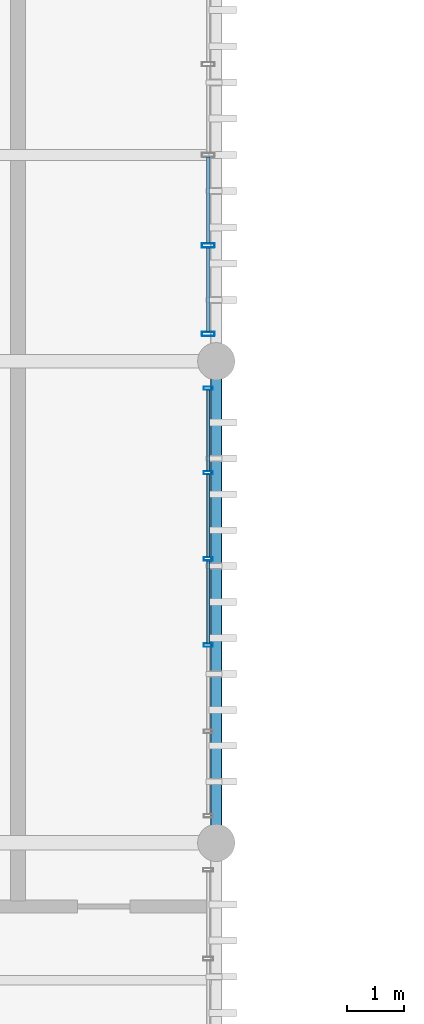
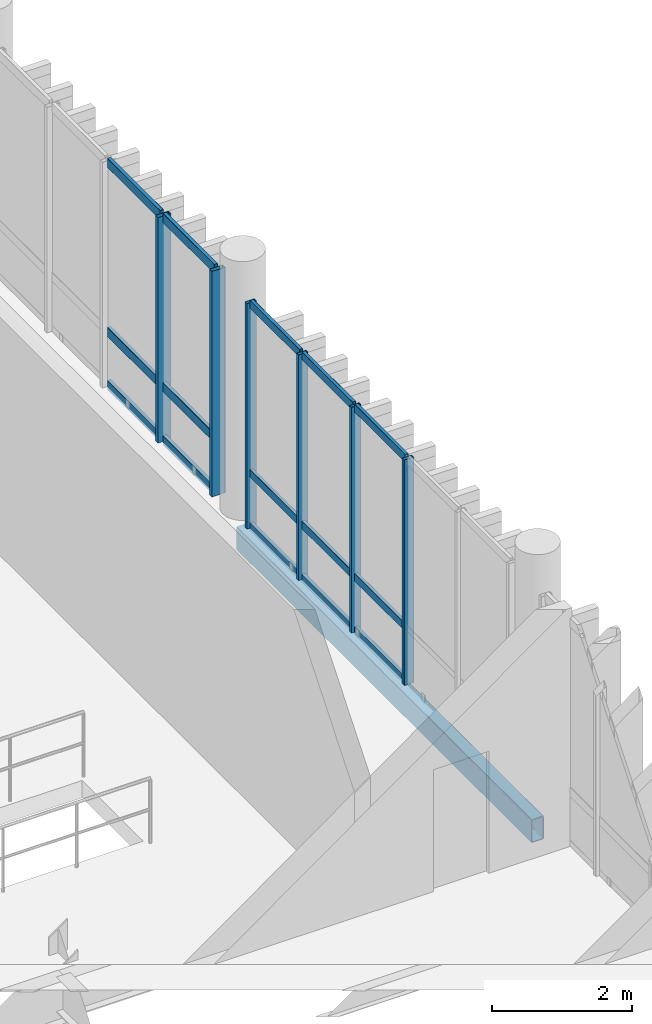
# One storey, part 33 of 66: 21 members, 1 beam, 2 elements without a shape of their own.
"""IFC4 building model written with IfcOpenShell, lengths in metres."""

from ifc_helpers import new_model, si_unit, direction, frame, origin_with_axes, origin_2d_with_axis, place, context, subcontext, project, spatial, hollow_rectangle, extrude, material, material_profile, profile_set, type_object, element, aggregate, save


model = new_model("IFC4")

# Units and contexts
model_context = context("Model", 3, precision=1e-05, world=origin_with_axes(), true_north=direction((0.0, 1.0)))
body_context = subcontext(model_context, "Body", "Model", "MODEL_VIEW")
ifc_project = project(units=[si_unit("LENGTHUNIT", "METRE"), si_unit("AREAUNIT", "SQUARE_METRE"), si_unit("VOLUMEUNIT", "CUBIC_METRE"), si_unit("PLANEANGLEUNIT", "RADIAN"), si_unit("MASSUNIT", "GRAM", prefix="KILO"), si_unit("THERMODYNAMICTEMPERATUREUNIT", "KELVIN")], contexts=[model_context])

# Site, building, storey
site_placement = place(None, origin_with_axes())
site = spatial("IfcSite", under=ifc_project, at=site_placement, CompositionType="ELEMENT")
building_placement = place(site_placement, origin_with_axes())
building = spatial("IfcBuilding", under=site, at=building_placement, Name="Montbau Bow Law Courts", CompositionType="ELEMENT")
storey_placement = place(building_placement, frame((0.0, 0.0, 34.5), z_axis=(0.0, 0.0, 1.0), x_axis=(1.0, 0.0, 0.0)))
storey = spatial("IfcBuildingStorey", under=building, at=storey_placement, Name="L07", CompositionType="ELEMENT", Elevation=34.5)

# Beam
ifc_material_1 = material(Name="Steel CSA G40.21 Grade 350WT (350 MPa)", Category="steel")
ifc_material_profile_1 = material_profile(ifc_material_1, hollow_rectangle(XDim=0.203, YDim=0.406, WallThickness=0.0127, InnerFilletRadius=0.0254, OuterFilletRadius=0.0127, at=origin_2d_with_axis()), Name="HSS406X203X13", Category="Main", Priority=0)
ifc_profile_set_1 = profile_set([ifc_material_profile_1], Name="Steel CSA G40.21 Grade 350WT (350 MPa)")
beam_type = type_object("IfcBeamType", Name="B-SPN-01", PredefinedType="SPANDREL", material=ifc_profile_set_1)
beam_placement = place(None, frame((105.0, 46.2, 33.997), z_axis=(0.0, 1.0, 0.0), x_axis=(-1.0, 0.0, 0.0)))
element("IfcBeam", 1, at=beam_placement, inside=storey, type_object=beam_type, Name="SPN-L07-S1059:bm2_1062", PredefinedType="SPANDREL", context=body_context, shape_type="SweptSolid", body=[
    extrude(hollow_rectangle(XDim=0.203, YDim=0.406, WallThickness=0.0127, InnerFilletRadius=0.0254, OuterFilletRadius=0.0127, at=origin_2d_with_axis()), origin_with_axes(), (0.0, 0.0, 1.0), 8.4),
])

# Curtain wall, members
ifc_material_2 = material(Name="Thermally Broken Extruded Aluminium AA 6063-T6", Category="aluminium")
curtain_wall_type = type_object("IfcCurtainWallType", Name="CW-CRM-02", PredefinedType="NOTDEFINED", material=ifc_material_2)
curtain_wall_1_placement = place(None, frame((104.86, 55.04, 34.5), z_axis=(0.0, 0.0, 1.0), x_axis=(1.0, 0.0, 0.0)))
curtain_wall_1 = element("IfcCurtainWall", 2, at=curtain_wall_1_placement, inside=storey, type_object=curtain_wall_type, Name="CW-L07-258:cw_0258", PredefinedType="NOTDEFINED")
ifc_material_profile_2 = material_profile(ifc_material_2, hollow_rectangle(XDim=0.075, YDim=0.22, WallThickness=0.005, InnerFilletRadius=0.01, OuterFilletRadius=0.005, at=origin_2d_with_axis()), Name="CWM-220X75", Category="Main", Priority=0)
ifc_profile_set_2 = profile_set([ifc_material_profile_2], Name="Thermally Broken Extruded Aluminium AA 6063-T6")
member_type_1 = type_object("IfcMemberType", Name="M-MUL-01", PredefinedType="MULLION", material=ifc_profile_set_2)
member_1_placement = place(None, frame((104.86, 55.077, 34.5), z_axis=(0.0, 0.0, 1.0), x_axis=(0.0, 1.0, 0.0)))
member_1 = element("IfcMember", 3, at=member_1_placement, type_object=member_type_1, Name="CW-L07-258-M01:cw_0258_M01", PredefinedType="MULLION", context=body_context, shape_type="SweptSolid", body=[
    extrude(hollow_rectangle(XDim=0.075, YDim=0.22, WallThickness=0.005, InnerFilletRadius=0.01, OuterFilletRadius=0.005, at=origin_2d_with_axis()), origin_with_axes(), (0.0, 0.0, 1.0), 3.92),
])
member_2_placement = place(None, frame((104.86, 56.62, 34.5), z_axis=(0.0, 0.0, 1.0), x_axis=(0.0, 1.0, 0.0)))
member_2 = element("IfcMember", 4, at=member_2_placement, type_object=member_type_1, Name="CW-L07-258-M02:cw_0258_M02", PredefinedType="MULLION", context=body_context, shape_type="SweptSolid", body=[
    extrude(hollow_rectangle(XDim=0.075, YDim=0.22, WallThickness=0.005, InnerFilletRadius=0.01, OuterFilletRadius=0.005, at=origin_2d_with_axis()), origin_with_axes(), (0.0, 0.0, 1.0), 3.92),
])

curtain_wall_2_placement = place(None, frame((104.86, 46.64, 34.5), z_axis=(0.0, 0.0, 1.0), x_axis=(1.0, 0.0, 0.0)))
curtain_wall_2 = element("IfcCurtainWall", 5, at=curtain_wall_2_placement, inside=storey, type_object=curtain_wall_type, Name="CW-L07-257:cw_0257", PredefinedType="NOTDEFINED")
ifc_material_profile_3 = material_profile(ifc_material_2, hollow_rectangle(XDim=0.06, YDim=0.16, WallThickness=0.004, InnerFilletRadius=0.008, OuterFilletRadius=0.004, at=origin_2d_with_axis()), Name="CWM-160X60", Category="Main", Priority=0)
ifc_profile_set_3 = profile_set([ifc_material_profile_3], Name="Thermally Broken Extruded Aluminium AA 6063-T6")
member_type_2 = type_object("IfcMemberType", Name="M-MUL-03", PredefinedType="MULLION", material=ifc_profile_set_3)
member_3_placement = place(None, frame((104.86, 49.648, 34.5), z_axis=(0.0, 0.0, 1.0), x_axis=(0.0, 1.0, 0.0)))
member_3 = element("IfcMember", 6, at=member_3_placement, type_object=member_type_2, Name="CW-L07-257-M03:cw_0257_M03", PredefinedType="MULLION", context=body_context, shape_type="SweptSolid", body=[
    extrude(hollow_rectangle(XDim=0.06, YDim=0.16, WallThickness=0.004, InnerFilletRadius=0.008, OuterFilletRadius=0.004, at=origin_2d_with_axis()), origin_with_axes(), (0.0, 0.0, 1.0), 3.92),
])
member_4_placement = place(None, frame((104.86, 51.152, 34.5), z_axis=(0.0, 0.0, 1.0), x_axis=(0.0, 1.0, 0.0)))
member_4 = element("IfcMember", 7, at=member_4_placement, type_object=member_type_2, Name="CW-L07-257-M04:cw_0257_M04", PredefinedType="MULLION", context=body_context, shape_type="SweptSolid", body=[
    extrude(hollow_rectangle(XDim=0.06, YDim=0.16, WallThickness=0.004, InnerFilletRadius=0.008, OuterFilletRadius=0.004, at=origin_2d_with_axis()), origin_with_axes(), (0.0, 0.0, 1.0), 3.92),
])
member_5_placement = place(None, frame((104.86, 52.656, 34.5), z_axis=(0.0, 0.0, 1.0), x_axis=(0.0, 1.0, 0.0)))
member_5 = element("IfcMember", 8, at=member_5_placement, type_object=member_type_2, Name="CW-L07-257-M05:cw_0257_M05", PredefinedType="MULLION", context=body_context, shape_type="SweptSolid", body=[
    extrude(hollow_rectangle(XDim=0.06, YDim=0.16, WallThickness=0.004, InnerFilletRadius=0.008, OuterFilletRadius=0.004, at=origin_2d_with_axis()), origin_with_axes(), (0.0, 0.0, 1.0), 3.92),
])
member_6_placement = place(None, frame((104.86, 54.13, 34.5), z_axis=(0.0, 0.0, 1.0), x_axis=(0.0, 1.0, 0.0)))
member_6 = element("IfcMember", 9, at=member_6_placement, type_object=member_type_2, Name="CW-L07-257-M06:cw_0257_M06", PredefinedType="MULLION", context=body_context, shape_type="SweptSolid", body=[
    extrude(hollow_rectangle(XDim=0.06, YDim=0.16, WallThickness=0.004, InnerFilletRadius=0.008, OuterFilletRadius=0.004, at=origin_2d_with_axis()), origin_with_axes(), (0.0, 0.0, 1.0), 3.92),
])

# Member
ifc_material_profile_4 = material_profile(ifc_material_2, hollow_rectangle(XDim=0.06, YDim=0.16, WallThickness=0.004, InnerFilletRadius=0.008, OuterFilletRadius=0.004, at=origin_2d_with_axis()), Name="CWT-160X60", Category="Main", Priority=0)
ifc_profile_set_4 = profile_set([ifc_material_profile_4], Name="Thermally Broken Extruded Aluminium AA 6063-T6")
member_type_3 = type_object("IfcMemberType", Name="M-TRN-01", PredefinedType="USERDEFINED", material=ifc_profile_set_4)
member_7_placement = place(None, frame((104.86, 55.116, 34.53), z_axis=(0.0, 1.0, 0.0), x_axis=(-1.0, 0.0, 0.0)))
member_7 = element("IfcMember", 10, at=member_7_placement, type_object=member_type_3, Name="CW-L07-258-T01-1:cw_0258_T01_1", ObjectType="TRANSOM", PredefinedType="USERDEFINED", context=body_context, shape_type="SweptSolid", body=[
    extrude(hollow_rectangle(XDim=0.06, YDim=0.16, WallThickness=0.004, InnerFilletRadius=0.008, OuterFilletRadius=0.004, at=origin_2d_with_axis()), origin_with_axes(), (0.0, 0.0, 1.0), 1.464),
])

member_8_placement = place(None, frame((104.86, 55.116, 35.45), z_axis=(0.0, 1.0, 0.0), x_axis=(-1.0, 0.0, 0.0)))
member_8 = element("IfcMember", 11, at=member_8_placement, type_object=member_type_3, Name="CW-L07-258-T01-2:cw_0258_T01_2", ObjectType="TRANSOM", PredefinedType="USERDEFINED", context=body_context, shape_type="SweptSolid", body=[
    extrude(hollow_rectangle(XDim=0.06, YDim=0.16, WallThickness=0.004, InnerFilletRadius=0.008, OuterFilletRadius=0.004, at=origin_2d_with_axis()), origin_with_axes(), (0.0, 0.0, 1.0), 1.464),
])

member_9_placement = place(None, frame((104.86, 55.116, 38.39), z_axis=(0.0, 1.0, 0.0), x_axis=(-1.0, 0.0, 0.0)))
member_9 = element("IfcMember", 12, at=member_9_placement, type_object=member_type_3, Name="CW-L07-258-T01-3:cw_0258_T01_3", ObjectType="TRANSOM", PredefinedType="USERDEFINED", context=body_context, shape_type="SweptSolid", body=[
    extrude(hollow_rectangle(XDim=0.06, YDim=0.16, WallThickness=0.004, InnerFilletRadius=0.008, OuterFilletRadius=0.004, at=origin_2d_with_axis()), origin_with_axes(), (0.0, 0.0, 1.0), 1.464),
])

member_10_placement = place(None, frame((104.86, 56.66, 34.53), z_axis=(0.0, 1.0, 0.0), x_axis=(-1.0, 0.0, 0.0)))
member_10 = element("IfcMember", 13, at=member_10_placement, type_object=member_type_3, Name="CW-L07-258-T02-1:cw_0258_T02_1", ObjectType="TRANSOM", PredefinedType="USERDEFINED", context=body_context, shape_type="SweptSolid", body=[
    extrude(hollow_rectangle(XDim=0.06, YDim=0.16, WallThickness=0.004, InnerFilletRadius=0.008, OuterFilletRadius=0.004, at=origin_2d_with_axis()), origin_with_axes(), (0.0, 0.0, 1.0), 1.501),
])

member_11_placement = place(None, frame((104.86, 56.66, 35.45), z_axis=(0.0, 1.0, 0.0), x_axis=(-1.0, 0.0, 0.0)))
member_11 = element("IfcMember", 14, at=member_11_placement, type_object=member_type_3, Name="CW-L07-258-T02-2:cw_0258_T02_2", ObjectType="TRANSOM", PredefinedType="USERDEFINED", context=body_context, shape_type="SweptSolid", body=[
    extrude(hollow_rectangle(XDim=0.06, YDim=0.16, WallThickness=0.004, InnerFilletRadius=0.008, OuterFilletRadius=0.004, at=origin_2d_with_axis()), origin_with_axes(), (0.0, 0.0, 1.0), 1.501),
])

member_12_placement = place(None, frame((104.86, 56.66, 38.39), z_axis=(0.0, 1.0, 0.0), x_axis=(-1.0, 0.0, 0.0)))
member_12 = element("IfcMember", 15, at=member_12_placement, type_object=member_type_3, Name="CW-L07-258-T02-3:cw_0258_T02_3", ObjectType="TRANSOM", PredefinedType="USERDEFINED", context=body_context, shape_type="SweptSolid", body=[
    extrude(hollow_rectangle(XDim=0.06, YDim=0.16, WallThickness=0.004, InnerFilletRadius=0.008, OuterFilletRadius=0.004, at=origin_2d_with_axis()), origin_with_axes(), (0.0, 0.0, 1.0), 1.501),
])

aggregate(curtain_wall_1, [member_1, member_2, member_7, member_8, member_9, member_10, member_11, member_12])

ifc_material_profile_5 = material_profile(ifc_material_2, hollow_rectangle(XDim=0.055, YDim=0.14, WallThickness=0.004, InnerFilletRadius=0.008, OuterFilletRadius=0.004, at=origin_2d_with_axis()), Name="CWT-140X55", Category="Main", Priority=0)
ifc_profile_set_5 = profile_set([ifc_material_profile_5], Name="Thermally Broken Extruded Aluminium AA 6063-T6")
member_type_4 = type_object("IfcMemberType", Name="M-TRN-02", PredefinedType="USERDEFINED", material=ifc_profile_set_5)
member_13_placement = place(None, frame((104.86, 49.68, 34.528), z_axis=(0.0, 1.0, 0.0), x_axis=(-1.0, 0.0, 0.0)))
member_13 = element("IfcMember", 16, at=member_13_placement, type_object=member_type_4, Name="CW-L07-257-T03-1:cw_0257_T03_1", ObjectType="TRANSOM", PredefinedType="USERDEFINED", context=body_context, shape_type="SweptSolid", body=[
    extrude(hollow_rectangle(XDim=0.055, YDim=0.14, WallThickness=0.004, InnerFilletRadius=0.008, OuterFilletRadius=0.004, at=origin_2d_with_axis()), origin_with_axes(), (0.0, 0.0, 1.0), 1.44),
])

member_14_placement = place(None, frame((104.86, 49.68, 35.45), z_axis=(0.0, 1.0, 0.0), x_axis=(-1.0, 0.0, 0.0)))
member_14 = element("IfcMember", 17, at=member_14_placement, type_object=member_type_4, Name="CW-L07-257-T03-2:cw_0257_T03_2", ObjectType="TRANSOM", PredefinedType="USERDEFINED", context=body_context, shape_type="SweptSolid", body=[
    extrude(hollow_rectangle(XDim=0.055, YDim=0.14, WallThickness=0.004, InnerFilletRadius=0.008, OuterFilletRadius=0.004, at=origin_2d_with_axis()), origin_with_axes(), (0.0, 0.0, 1.0), 1.44),
])

member_15_placement = place(None, frame((104.86, 49.68, 38.392), z_axis=(0.0, 1.0, 0.0), x_axis=(-1.0, 0.0, 0.0)))
member_15 = element("IfcMember", 18, at=member_15_placement, type_object=member_type_4, Name="CW-L07-257-T03-3:cw_0257_T03_3", ObjectType="TRANSOM", PredefinedType="USERDEFINED", context=body_context, shape_type="SweptSolid", body=[
    extrude(hollow_rectangle(XDim=0.055, YDim=0.14, WallThickness=0.004, InnerFilletRadius=0.008, OuterFilletRadius=0.004, at=origin_2d_with_axis()), origin_with_axes(), (0.0, 0.0, 1.0), 1.44),
])

member_16_placement = place(None, frame((104.86, 51.184, 34.528), z_axis=(0.0, 1.0, 0.0), x_axis=(-1.0, 0.0, 0.0)))
member_16 = element("IfcMember", 19, at=member_16_placement, type_object=member_type_4, Name="CW-L07-257-T04-1:cw_0257_T04_1", ObjectType="TRANSOM", PredefinedType="USERDEFINED", context=body_context, shape_type="SweptSolid", body=[
    extrude(hollow_rectangle(XDim=0.055, YDim=0.14, WallThickness=0.004, InnerFilletRadius=0.008, OuterFilletRadius=0.004, at=origin_2d_with_axis()), origin_with_axes(), (0.0, 0.0, 1.0), 1.44),
])

member_17_placement = place(None, frame((104.86, 51.184, 35.45), z_axis=(0.0, 1.0, 0.0), x_axis=(-1.0, 0.0, 0.0)))
member_17 = element("IfcMember", 20, at=member_17_placement, type_object=member_type_4, Name="CW-L07-257-T04-2:cw_0257_T04_2", ObjectType="TRANSOM", PredefinedType="USERDEFINED", context=body_context, shape_type="SweptSolid", body=[
    extrude(hollow_rectangle(XDim=0.055, YDim=0.14, WallThickness=0.004, InnerFilletRadius=0.008, OuterFilletRadius=0.004, at=origin_2d_with_axis()), origin_with_axes(), (0.0, 0.0, 1.0), 1.44),
])

member_18_placement = place(None, frame((104.86, 51.184, 38.392), z_axis=(0.0, 1.0, 0.0), x_axis=(-1.0, 0.0, 0.0)))
member_18 = element("IfcMember", 21, at=member_18_placement, type_object=member_type_4, Name="CW-L07-257-T04-3:cw_0257_T04_3", ObjectType="TRANSOM", PredefinedType="USERDEFINED", context=body_context, shape_type="SweptSolid", body=[
    extrude(hollow_rectangle(XDim=0.055, YDim=0.14, WallThickness=0.004, InnerFilletRadius=0.008, OuterFilletRadius=0.004, at=origin_2d_with_axis()), origin_with_axes(), (0.0, 0.0, 1.0), 1.44),
])

member_19_placement = place(None, frame((104.86, 52.688, 34.528), z_axis=(0.0, 1.0, 0.0), x_axis=(-1.0, 0.0, 0.0)))
member_19 = element("IfcMember", 22, at=member_19_placement, type_object=member_type_4, Name="CW-L07-257-T05-1:cw_0257_T05_1", ObjectType="TRANSOM", PredefinedType="USERDEFINED", context=body_context, shape_type="SweptSolid", body=[
    extrude(hollow_rectangle(XDim=0.055, YDim=0.14, WallThickness=0.004, InnerFilletRadius=0.008, OuterFilletRadius=0.004, at=origin_2d_with_axis()), origin_with_axes(), (0.0, 0.0, 1.0), 1.41),
])

member_20_placement = place(None, frame((104.86, 52.688, 35.45), z_axis=(0.0, 1.0, 0.0), x_axis=(-1.0, 0.0, 0.0)))
member_20 = element("IfcMember", 23, at=member_20_placement, type_object=member_type_4, Name="CW-L07-257-T05-2:cw_0257_T05_2", ObjectType="TRANSOM", PredefinedType="USERDEFINED", context=body_context, shape_type="SweptSolid", body=[
    extrude(hollow_rectangle(XDim=0.055, YDim=0.14, WallThickness=0.004, InnerFilletRadius=0.008, OuterFilletRadius=0.004, at=origin_2d_with_axis()), origin_with_axes(), (0.0, 0.0, 1.0), 1.41),
])

member_21_placement = place(None, frame((104.86, 52.688, 38.392), z_axis=(0.0, 1.0, 0.0), x_axis=(-1.0, 0.0, 0.0)))
member_21 = element("IfcMember", 24, at=member_21_placement, type_object=member_type_4, Name="CW-L07-257-T05-3:cw_0257_T05_3", ObjectType="TRANSOM", PredefinedType="USERDEFINED", context=body_context, shape_type="SweptSolid", body=[
    extrude(hollow_rectangle(XDim=0.055, YDim=0.14, WallThickness=0.004, InnerFilletRadius=0.008, OuterFilletRadius=0.004, at=origin_2d_with_axis()), origin_with_axes(), (0.0, 0.0, 1.0), 1.41),
])

aggregate(curtain_wall_2, [member_3, member_4, member_5, member_6, member_13, member_14, member_15, member_16, member_17, member_18, member_19, member_20, member_21])

save(model, "model.ifc")
